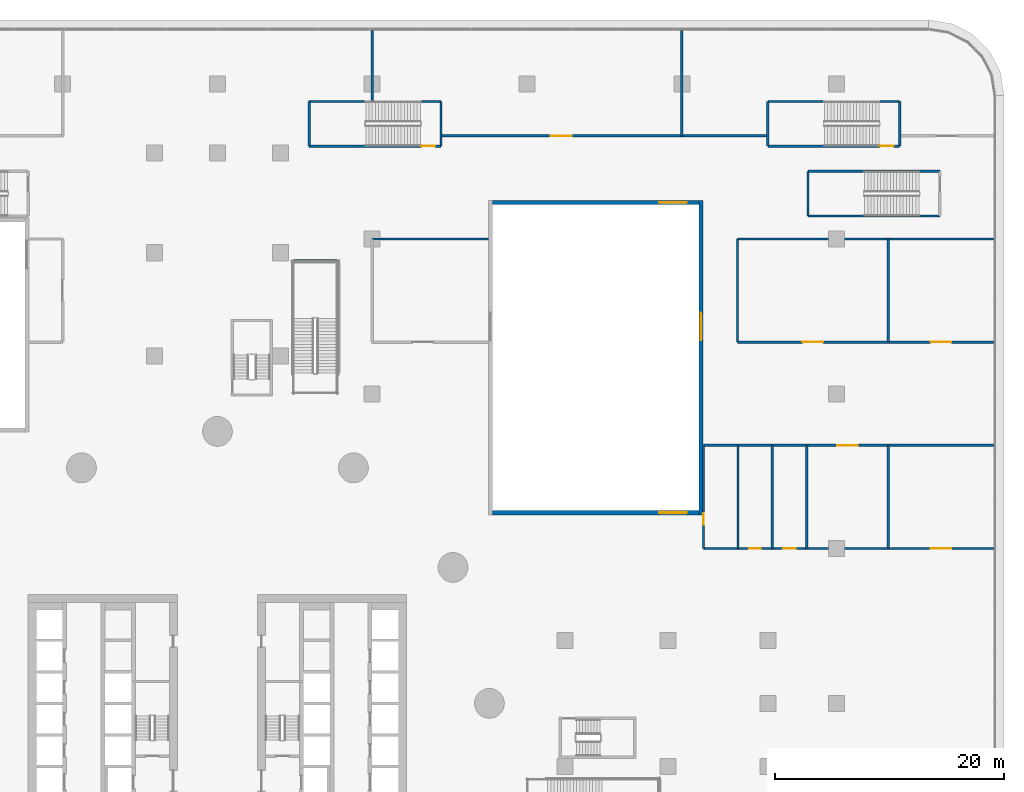
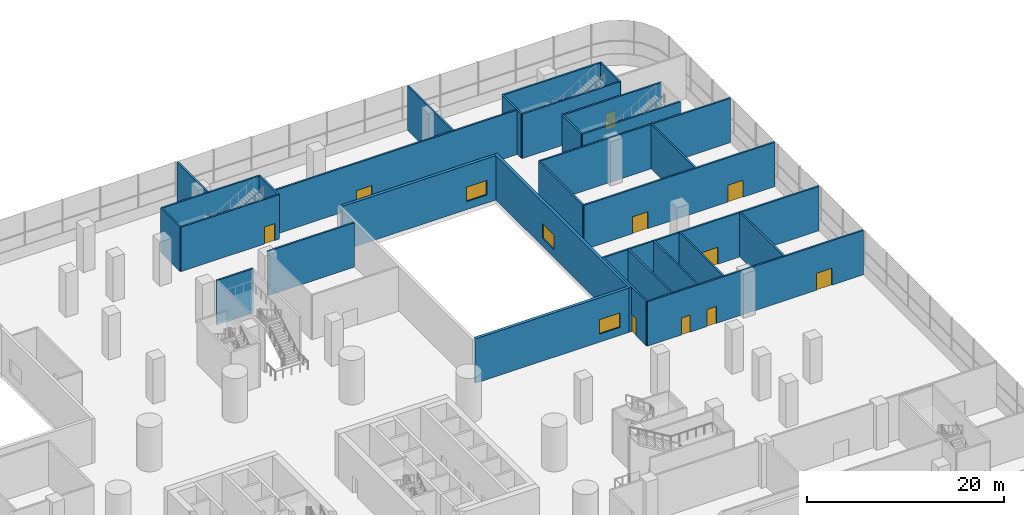
# One storey, part 34 of 52: 30 walls, 10 doors, 3 windows, 13 openings.
"""IFC4 building model written with IfcOpenShell, lengths in metres."""

from ifc_helpers import new_model, si_unit, direction, frame, frame_2d, origin, place, context, subcontext, project, spatial, rectangle, extrude, material, layer, layer_set, type_object, element, fill, save


model = new_model("IFC4")

# Units and contexts
model_context = context("Model", 3, precision=1e-05, world=origin(), true_north=direction((0.0, 1.0)))
body_context = subcontext(model_context, "Body", "Model", "MODEL_VIEW")
ifc_project = project(units=[si_unit("LENGTHUNIT", "METRE"), si_unit("AREAUNIT", "SQUARE_METRE"), si_unit("VOLUMEUNIT", "CUBIC_METRE"), si_unit("PLANEANGLEUNIT", "RADIAN"), si_unit("MASSUNIT", "GRAM", prefix="KILO")], contexts=[model_context])

# Site, building, storey
site_placement = place(None, origin())
site = spatial("IfcSite", under=ifc_project, at=site_placement, CompositionType="ELEMENT")
building_placement = place(site_placement, origin())
building = spatial("IfcBuilding", under=site, at=building_placement, Name="Tamarind Cross Interchange Tower", CompositionType="ELEMENT")
storey_placement = place(building_placement, frame((0.0, 0.0, 9.0)))
storey = spatial("IfcBuildingStorey", under=building, at=storey_placement, Name="L01", CompositionType="ELEMENT", Elevation=9.0)

# Wall
ifc_material_1 = material(Name="Masonry partition, fire-rated", Category="masonry")
ifc_layer_1 = layer(ifc_material_1, 0.199951171875)
ifc_layer_set_1 = layer_set([ifc_layer_1], Name="Masonry partition, fire-rated")
wall_type_1 = type_object("IfcWallType", Name="Fire partition 200 EI 120", PredefinedType="PARTITIONING", material=ifc_layer_set_1)
wall_1_placement = place(storey_placement, frame((13.5, 52.530029296875, 0.0), z_axis=(0.0, 0.0, 1.0), x_axis=(0.0, 1.0, 0.0)))
element("IfcWall", 1, at=wall_1_placement, inside=storey, type_object=wall_type_1, Name="L01 partition 92", PredefinedType="PARTITIONING", context=body_context, shape_type="SweptSolid", body=[
    extrude(rectangle(XDim=6.1689453125, YDim=0.199951171875, at=frame_2d((3.08447265625, 0.0))), origin(), (0.0, 0.0, 1.0), 5.5),
])

# Wall, opening, door
wall_2_placement = place(storey_placement, frame((19.530029296875, 49.5, 0.0), z_axis=(0.0, 0.0, 1.0), x_axis=(1.0, 0.0, 0.0)))
wall_2 = element("IfcWall", 2, at=wall_2_placement, inside=storey, type_object=wall_type_1, Name="L01 partition 94", PredefinedType="PARTITIONING", context=body_context, shape_type="SweptSolid", body=[
    extrude(rectangle(XDim=28.43994140625, YDim=0.199951171875, at=frame_2d((14.219970703125, 0.0))), origin(), (0.0, 0.0, 1.0), 5.5),
])
opening_1_placement = place(wall_2_placement, frame((9.56005859375, 0.0, 0.0)))
opening_1 = element("IfcOpeningElement", 3, at=opening_1_placement, cuts=wall_2, Name="Opening DL01-20", PredefinedType="OPENING", context=body_context, shape_type="SweptSolid", body=[
    extrude(rectangle(XDim=1.800048828125, YDim=2.10009765625, at=frame_2d((0.89990234375, 1.050048828125))), frame((0.0, 0.10986328125, 0.0), z_axis=(0.0, -1.0, 0.0), x_axis=(1.0, 0.0, 0.0)), (0.0, 0.0, 1.0), 0.219970703125),
])
ifc_material_2 = material(Name="Steel, fire-resisting", Category="steel")
door_type_1 = type_object("IfcDoorType", Name="Podium door 1800 x 2100 FD60", OperationType="SINGLE_SWING_LEFT", PredefinedType="DOOR", material=ifc_material_2)
door_1_placement = place(opening_1_placement, origin())
door_1 = element("IfcDoor", 4, at=door_1_placement, inside=storey, type_object=door_type_1, Name="L01 door Fashion Store 0106", OperationType="SINGLE_SWING_RIGHT", OverallHeight=2.10009765625, OverallWidth=1.800048828125, PredefinedType="DOOR", context=body_context, shape_type="SweptSolid", body=[
    extrude(rectangle(XDim=1.800048828125, YDim=2.10009765625, at=frame_2d((0.89990234375, 1.050048828125))), frame((0.0, 0.02490234375, 0.0), z_axis=(0.0, -1.0, 0.0), x_axis=(1.0, 0.0, 0.0)), (0.0, 0.0, 1.0), 0.050048828125),
])
fill(opening_1, door_1)

# Walls
wall_3_placement = place(storey_placement, frame((13.5, 40.5, 0.0), z_axis=(0.0, 0.0, 1.0), x_axis=(1.0, 0.0, 0.0)))
element("IfcWall", 5, at=wall_3_placement, inside=storey, type_object=wall_type_1, Name="L01 partition 97", PredefinedType="PARTITIONING", context=body_context, shape_type="SweptSolid", body=[
    extrude(rectangle(XDim=10.1201171875, YDim=0.199951171875, at=frame_2d((5.06005859375, 0.0))), origin(), (0.0, 0.0, 1.0), 5.5),
])
wall_4_placement = place(storey_placement, frame((40.5, 49.5, 0.0), z_axis=(0.0, 0.0, 1.0), x_axis=(0.0, 1.0, 0.0)))
element("IfcWall", 6, at=wall_4_placement, inside=storey, type_object=wall_type_1, Name="L01 partition 103", PredefinedType="PARTITIONING", context=body_context, shape_type="SweptSolid", body=[
    extrude(rectangle(XDim=9.198974609375, YDim=0.199951171875, at=frame_2d((4.599609375, 0.0))), origin(), (0.0, 0.0, 1.0), 5.5),
])

# Wall, openings, doors
wall_5_placement = place(storey_placement, frame((42.39990234375, 13.5, 0.0), z_axis=(0.0, 0.0, 1.0), x_axis=(1.0, 0.0, 0.0)))
wall_5 = element("IfcWall", 7, at=wall_5_placement, inside=storey, type_object=wall_type_1, Name="L01 partition 104", PredefinedType="PARTITIONING", context=body_context, shape_type="SweptSolid", body=[
    extrude(rectangle(XDim=25.299072265625, YDim=0.199951171875, at=frame_2d((12.6494140625, 0.0))), origin(), (0.0, 0.0, 1.0), 5.5),
])
opening_2_placement = place(wall_5_placement, frame((4.0, 0.0, 0.0)))
opening_2 = element("IfcOpeningElement", 8, at=opening_2_placement, cuts=wall_5, Name="Opening DL01-14", PredefinedType="OPENING", context=body_context, shape_type="SweptSolid", body=[
    extrude(rectangle(XDim=1.0, YDim=2.10009765625, at=frame_2d((0.5, 1.050048828125))), frame((0.0, 0.10986328125, 0.0), z_axis=(0.0, -1.0, 0.0), x_axis=(1.0, 0.0, 0.0)), (0.0, 0.0, 1.0), 0.219970703125),
])
opening_3_placement = place(wall_5_placement, frame((6.949951171875, 0.0, 0.0)))
opening_3 = element("IfcOpeningElement", 9, at=opening_3_placement, cuts=wall_5, Name="Opening DL01-15", PredefinedType="OPENING", context=body_context, shape_type="SweptSolid", body=[
    extrude(rectangle(XDim=1.10009765625, YDim=2.10009765625, at=frame_2d((0.550048828125, 1.050048828125))), frame((0.0, 0.10986328125, 0.0), z_axis=(0.0, -1.0, 0.0), x_axis=(1.0, 0.0, 0.0)), (0.0, 0.0, 1.0), 0.219970703125),
])
opening_4_placement = place(wall_5_placement, frame((19.800048828125, 0.0, 0.0)))
opening_4 = element("IfcOpeningElement", 10, at=opening_4_placement, cuts=wall_5, Name="Opening DL01-17", PredefinedType="OPENING", context=body_context, shape_type="SweptSolid", body=[
    extrude(rectangle(XDim=1.800048828125, YDim=2.10009765625, at=frame_2d((0.89990234375, 1.050048828125))), frame((0.0, 0.10986328125, 0.0), z_axis=(0.0, -1.0, 0.0), x_axis=(1.0, 0.0, 0.0)), (0.0, 0.0, 1.0), 0.219970703125),
])
door_type_2 = type_object("IfcDoorType", Name="Podium door 1000 x 2100 FD60", OperationType="SINGLE_SWING_LEFT", PredefinedType="DOOR", material=ifc_material_2)
door_2_placement = place(opening_2_placement, origin())
door_2 = element("IfcDoor", 11, at=door_2_placement, inside=storey, type_object=door_type_2, Name="L01 door Men's Toilets L01NE", OperationType="SINGLE_SWING_RIGHT", OverallHeight=2.10009765625, OverallWidth=1.0, PredefinedType="DOOR", context=body_context, shape_type="SweptSolid", body=[
    extrude(rectangle(XDim=1.0, YDim=2.10009765625, at=frame_2d((0.5, 1.050048828125))), frame((0.0, 0.02490234375, 0.0), z_axis=(0.0, -1.0, 0.0), x_axis=(1.0, 0.0, 0.0)), (0.0, 0.0, 1.0), 0.050048828125),
])
fill(opening_2, door_2)
door_type_3 = type_object("IfcDoorType", Name="Podium door 1100 x 2100 FD60", OperationType="SINGLE_SWING_LEFT", PredefinedType="DOOR", material=ifc_material_2)
door_3_placement = place(opening_3_placement, origin())
door_3 = element("IfcDoor", 12, at=door_3_placement, inside=storey, type_object=door_type_3, Name="L01 door Accessible Toilet L01NE", OperationType="SINGLE_SWING_LEFT", OverallHeight=2.10009765625, OverallWidth=1.10009765625, PredefinedType="DOOR", context=body_context, shape_type="SweptSolid", body=[
    extrude(rectangle(XDim=1.10009765625, YDim=2.10009765625, at=frame_2d((0.550048828125, 1.050048828125))), frame((0.0, 0.02490234375, 0.0), z_axis=(0.0, -1.0, 0.0), x_axis=(1.0, 0.0, 0.0)), (0.0, 0.0, 1.0), 0.050048828125),
])
fill(opening_3, door_3)
door_4_placement = place(opening_4_placement, origin())
door_4 = element("IfcDoor", 13, at=door_4_placement, inside=storey, type_object=door_type_1, Name="L01 door Electronics Store 0102", OperationType="SINGLE_SWING_LEFT", OverallHeight=2.10009765625, OverallWidth=1.800048828125, PredefinedType="DOOR", context=body_context, shape_type="SweptSolid", body=[
    extrude(rectangle(XDim=1.800048828125, YDim=2.10009765625, at=frame_2d((0.89990234375, 1.050048828125))), frame((0.0, 0.02490234375, 0.0), z_axis=(0.0, -1.0, 0.0), x_axis=(1.0, 0.0, 0.0)), (0.0, 0.0, 1.0), 0.050048828125),
])
fill(opening_4, door_4)

# Wall, opening, door
wall_6_placement = place(storey_placement, frame((42.39990234375, 22.5, 0.0), z_axis=(0.0, 0.0, 1.0), x_axis=(1.0, 0.0, 0.0)))
wall_6 = element("IfcWall", 14, at=wall_6_placement, inside=storey, type_object=wall_type_1, Name="L01 partition 107", PredefinedType="PARTITIONING", context=body_context, shape_type="SweptSolid", body=[
    extrude(rectangle(XDim=25.299072265625, YDim=0.199951171875, at=frame_2d((12.6494140625, 0.0))), origin(), (0.0, 0.0, 1.0), 5.5),
])
opening_5_placement = place(wall_6_placement, frame((11.64990234375, 0.0, 0.0)))
opening_5 = element("IfcOpeningElement", 15, at=opening_5_placement, cuts=wall_6, Name="Opening DL01-16", PredefinedType="OPENING", context=body_context, shape_type="SweptSolid", body=[
    extrude(rectangle(XDim=1.800048828125, YDim=2.10009765625, at=frame_2d((0.89990234375, 1.050048828125))), frame((0.0, 0.10986328125, 0.0), z_axis=(0.0, -1.0, 0.0), x_axis=(1.0, 0.0, 0.0)), (0.0, 0.0, 1.0), 0.219970703125),
])
door_5_placement = place(opening_5_placement, origin())
door_5 = element("IfcDoor", 16, at=door_5_placement, inside=storey, type_object=door_type_1, Name="L01 door Jewellery Shop 0101", OperationType="SINGLE_SWING_RIGHT", OverallHeight=2.10009765625, OverallWidth=1.800048828125, PredefinedType="DOOR", context=body_context, shape_type="SweptSolid", body=[
    extrude(rectangle(XDim=1.800048828125, YDim=2.10009765625, at=frame_2d((0.89990234375, 1.050048828125))), frame((0.0, 0.02490234375, 0.0), z_axis=(0.0, -1.0, 0.0), x_axis=(1.0, 0.0, 0.0)), (0.0, 0.0, 1.0), 0.050048828125),
])
fill(opening_5, door_5)

# Wall
wall_7_placement = place(storey_placement, frame((58.5, 13.5, 0.0), z_axis=(0.0, 0.0, 1.0), x_axis=(0.0, 1.0, 0.0)))
element("IfcWall", 17, at=wall_7_placement, inside=storey, type_object=wall_type_1, Name="L01 partition 115", PredefinedType="PARTITIONING", context=body_context, shape_type="SweptSolid", body=[
    extrude(rectangle(XDim=9.0, YDim=0.199951171875, at=frame_2d((4.5, 0.0))), origin(), (0.0, 0.0, 1.0), 5.5),
])

# Wall, openings, doors
wall_8_placement = place(storey_placement, frame((45.35009765625, 31.5, 0.0), z_axis=(0.0, 0.0, 1.0), x_axis=(1.0, 0.0, 0.0)))
wall_8 = element("IfcWall", 18, at=wall_8_placement, inside=storey, type_object=wall_type_1, Name="L01 partition 116", PredefinedType="PARTITIONING", context=body_context, shape_type="SweptSolid", body=[
    extrude(rectangle(XDim=22.348876953125, YDim=0.199951171875, at=frame_2d((11.17431640625, 0.0))), origin(), (0.0, 0.0, 1.0), 5.5),
])
opening_6_placement = place(wall_8_placement, frame((16.85009765625, 0.0, 0.0)))
opening_6 = element("IfcOpeningElement", 19, at=opening_6_placement, cuts=wall_8, Name="Opening DL01-19", PredefinedType="OPENING", context=body_context, shape_type="SweptSolid", body=[
    extrude(rectangle(XDim=1.800048828125, YDim=2.10009765625, at=frame_2d((0.89990234375, 1.050048828125))), frame((0.0, 0.10986328125, 0.0), z_axis=(0.0, -1.0, 0.0), x_axis=(1.0, 0.0, 0.0)), (0.0, 0.0, 1.0), 0.219970703125),
])
opening_7_placement = place(wall_8_placement, frame((5.675048828125, 0.0, 0.0)))
opening_7 = element("IfcOpeningElement", 20, at=opening_7_placement, cuts=wall_8, Name="Opening DL01-22", PredefinedType="OPENING", context=body_context, shape_type="SweptSolid", body=[
    extrude(rectangle(XDim=1.800048828125, YDim=2.10009765625, at=frame_2d((0.89990234375, 1.050048828125))), frame((0.0, 0.10986328125, 0.0), z_axis=(0.0, -1.0, 0.0), x_axis=(1.0, 0.0, 0.0)), (0.0, 0.0, 1.0), 0.219970703125),
])
door_6_placement = place(opening_6_placement, origin())
door_6 = element("IfcDoor", 21, at=door_6_placement, inside=storey, type_object=door_type_1, Name="L01 door Optician 0105", OperationType="SINGLE_SWING_LEFT", OverallHeight=2.10009765625, OverallWidth=1.800048828125, PredefinedType="DOOR", context=body_context, shape_type="SweptSolid", body=[
    extrude(rectangle(XDim=1.800048828125, YDim=2.10009765625, at=frame_2d((0.89990234375, 1.050048828125))), frame((0.0, 0.02490234375, 0.0), z_axis=(0.0, -1.0, 0.0), x_axis=(1.0, 0.0, 0.0)), (0.0, 0.0, 1.0), 0.050048828125),
])
fill(opening_6, door_6)
door_7_placement = place(opening_7_placement, origin())
door_7 = element("IfcDoor", 22, at=door_7_placement, inside=storey, type_object=door_type_1, Name="L01 door Beauty Salon 0104", OperationType="SINGLE_SWING_RIGHT", OverallHeight=2.10009765625, OverallWidth=1.800048828125, PredefinedType="DOOR", context=body_context, shape_type="SweptSolid", body=[
    extrude(rectangle(XDim=1.800048828125, YDim=2.10009765625, at=frame_2d((0.89990234375, 1.050048828125))), frame((0.0, 0.02490234375, 0.0), z_axis=(0.0, -1.0, 0.0), x_axis=(1.0, 0.0, 0.0)), (0.0, 0.0, 1.0), 0.050048828125),
])
fill(opening_7, door_7)

# Walls
for number, where, z_axis, x_axis, name in (
    (23, (58.5, 31.5, 0.0), (0.0, 0.0, 1.0), (0.0, 1.0, 0.0), "L01 partition 117"),
    (24, (45.35009765625, 31.5, 0.0), (0.0, 0.0, 1.0), (0.0, 1.0, 0.0), "L01 partition 118"),
):
    element("IfcWall", number, at=place(storey_placement, frame(where, z_axis=z_axis, x_axis=x_axis)), inside=storey, type_object=wall_type_1, Name=name, PredefinedType="PARTITIONING", context=body_context, shape_type="SweptSolid", body=[
        extrude(rectangle(XDim=9.0, YDim=0.199951171875, at=frame_2d((4.5, 0.0))), origin(), (0.0, 0.0, 1.0), 5.5),
    ])
wall_9_placement = place(storey_placement, frame((45.35009765625, 40.5, 0.0), z_axis=(0.0, 0.0, 1.0), x_axis=(1.0, 0.0, 0.0)))
element("IfcWall", 25, at=wall_9_placement, inside=storey, type_object=wall_type_1, Name="L01 partition 119", PredefinedType="PARTITIONING", context=body_context, shape_type="SweptSolid", body=[
    extrude(rectangle(XDim=22.348876953125, YDim=0.199951171875, at=frame_2d((11.17431640625, 0.0))), origin(), (0.0, 0.0, 1.0), 5.5),
])
ifc_layer_2 = layer(ifc_material_1, 0.199951171875)
ifc_layer_set_2 = layer_set([ifc_layer_2], Name="Masonry partition, fire-rated")
wall_type_2 = type_object("IfcWallType", Name="Fire partition 200 EI 90", PredefinedType="PARTITIONING", material=ifc_layer_set_2)
wall_10_placement = place(storey_placement, frame((45.39990234375, 13.5, 0.0), z_axis=(0.0, 0.0, 1.0), x_axis=(0.0, 1.0, 0.0)))
element("IfcWall", 26, at=wall_10_placement, inside=storey, type_object=wall_type_2, Name="L01 partition 105", PredefinedType="PARTITIONING", context=body_context, shape_type="SweptSolid", body=[
    extrude(rectangle(XDim=9.0, YDim=0.199951171875, at=frame_2d((4.5, 0.0))), origin(), (0.0, 0.0, 1.0), 5.5),
])

# Wall, opening, door
wall_11_placement = place(storey_placement, frame((42.39990234375, 13.5, 0.0), z_axis=(0.0, 0.0, 1.0), x_axis=(0.0, 1.0, 0.0)))
wall_11 = element("IfcWall", 27, at=wall_11_placement, inside=storey, type_object=wall_type_2, Name="L01 partition 106", PredefinedType="PARTITIONING", context=body_context, shape_type="SweptSolid", body=[
    extrude(rectangle(XDim=9.0, YDim=0.199951171875, at=frame_2d((4.5, 0.0))), origin(), (0.0, 0.0, 1.0), 5.5),
])
opening_8_placement = place(wall_11_placement, frame((2.10009765625, 0.0, 0.0)))
opening_8 = element("IfcOpeningElement", 28, at=opening_8_placement, cuts=wall_11, Name="Opening DL01-13", PredefinedType="OPENING", context=body_context, shape_type="SweptSolid", body=[
    extrude(rectangle(XDim=1.0, YDim=2.10009765625, at=frame_2d((0.5, 1.050048828125))), frame((0.0, 0.10986328125, 0.0), z_axis=(0.0, -1.0, 0.0), x_axis=(1.0, 0.0, 0.0)), (0.0, 0.0, 1.0), 0.219970703125),
])
door_8_placement = place(opening_8_placement, origin())
door_8 = element("IfcDoor", 29, at=door_8_placement, inside=storey, type_object=door_type_2, Name="L01 door Women's Toilets L01NE", OperationType="SINGLE_SWING_LEFT", OverallHeight=2.10009765625, OverallWidth=1.0, PredefinedType="DOOR", context=body_context, shape_type="SweptSolid", body=[
    extrude(rectangle(XDim=1.0, YDim=2.10009765625, at=frame_2d((0.5, 1.050048828125))), frame((0.0, 0.02490234375, 0.0), z_axis=(0.0, -1.0, 0.0), x_axis=(1.0, 0.0, 0.0)), (0.0, 0.0, 1.0), 0.050048828125),
])
fill(opening_8, door_8)

# Walls
for number, where, z_axis, x_axis, name in (
    (30, (48.39990234375, 13.5, 0.0), (0.0, 0.0, 1.0), (0.0, 1.0, 0.0), "L01 partition 110"),
    (31, (51.39990234375, 13.5, 0.0), (0.0, 0.0, 1.0), (0.0, 1.0, 0.0), "L01 partition 112"),
):
    element("IfcWall", number, at=place(storey_placement, frame(where, z_axis=z_axis, x_axis=x_axis)), inside=storey, type_object=wall_type_2, Name=name, PredefinedType="PARTITIONING", context=body_context, shape_type="SweptSolid", body=[
        extrude(rectangle(XDim=9.0, YDim=0.199951171875, at=frame_2d((4.5, 0.0))), origin(), (0.0, 0.0, 1.0), 5.5),
    ])

# Wall, opening, window
ifc_material_3 = material(Name="Precast concrete C40", Category="concrete")
ifc_layer_3 = layer(ifc_material_3, 0.35009765625)
ifc_layer_set_3 = layer_set([ifc_layer_3], Name="Precast concrete C40")
wall_type_3 = type_object("IfcWallType", Name="Podium facade wall", PredefinedType="SOLIDWALL", material=ifc_layer_set_3)
wall_12_placement = place(storey_placement, frame((24.0, 16.625, 0.0), z_axis=(0.0, 0.0, 1.0), x_axis=(1.0, 0.0, 0.0)))
wall_12 = element("IfcWall", 32, at=wall_12_placement, inside=storey, type_object=wall_type_3, Name="CTW-L01-NES00", PredefinedType="SOLIDWALL", context=body_context, shape_type="SweptSolid", body=[
    extrude(rectangle(XDim=18.0, YDim=0.35009765625, at=frame_2d((9.0, 0.0))), origin(), (0.0, 0.0, 1.0), 5.5),
])
opening_9_placement = place(wall_12_placement, frame((14.550048828125, 0.0, 1.0)))
opening_9 = element("IfcOpeningElement", 33, at=opening_9_placement, cuts=wall_12, Name="Opening W4", PredefinedType="OPENING", context=body_context, shape_type="SweptSolid", body=[
    extrude(rectangle(XDim=2.39990234375, YDim=1.800048828125, at=frame_2d((1.199951171875, 0.89990234375))), frame((0.0, 0.18505859375, 0.0), z_axis=(0.0, -1.0, 0.0), x_axis=(1.0, 0.0, 0.0)), (0.0, 0.0, 1.0), 0.3701171875),
])
ifc_material_4 = material(Name="Aluminium and toughened glass", Category="aluminium")
window_type = type_object("IfcWindowType", Name="Podium daylight window", PartitioningType="SINGLE_PANEL", PredefinedType="WINDOW", material=ifc_material_4)
window_1_placement = place(opening_9_placement, origin())
window_1 = element("IfcWindow", 34, at=window_1_placement, inside=storey, type_object=window_type, Name="CTX-L01-NES-01-00", OverallHeight=1.800048828125, OverallWidth=2.39990234375, PartitioningType="SINGLE_PANEL", PredefinedType="WINDOW", context=body_context, shape_type="SweptSolid", body=[
    extrude(rectangle(XDim=2.39990234375, YDim=1.800048828125, at=frame_2d((1.199951171875, 0.89990234375))), frame((0.0, 0.030029296875, 0.0), z_axis=(0.0, -1.0, 0.0), x_axis=(1.0, 0.0, 0.0)), (0.0, 0.0, 1.0), 0.06005859375),
])
fill(opening_9, window_1)

wall_13_placement = place(storey_placement, frame((24.0, 43.675048828125, 0.0), z_axis=(0.0, 0.0, 1.0), x_axis=(1.0, 0.0, 0.0)))
wall_13 = element("IfcWall", 35, at=wall_13_placement, inside=storey, type_object=wall_type_3, Name="CTW-L01-NEN00", PredefinedType="SOLIDWALL", context=body_context, shape_type="SweptSolid", body=[
    extrude(rectangle(XDim=18.0, YDim=0.35009765625, at=frame_2d((9.0, 0.0))), origin(), (0.0, 0.0, 1.0), 5.5),
])
opening_10_placement = place(wall_13_placement, frame((14.550048828125, 0.0, 1.0)))
opening_10 = element("IfcOpeningElement", 36, at=opening_10_placement, cuts=wall_13, Name="Opening W4", PredefinedType="OPENING", context=body_context, shape_type="SweptSolid", body=[
    extrude(rectangle(XDim=2.39990234375, YDim=1.800048828125, at=frame_2d((1.199951171875, 0.89990234375))), frame((0.0, 0.18505859375, 0.0), z_axis=(0.0, -1.0, 0.0), x_axis=(1.0, 0.0, 0.0)), (0.0, 0.0, 1.0), 0.3701171875),
])
window_2_placement = place(opening_10_placement, origin())
window_2 = element("IfcWindow", 37, at=window_2_placement, inside=storey, type_object=window_type, Name="CTX-L01-NEN-01-00", OverallHeight=1.800048828125, OverallWidth=2.39990234375, PartitioningType="SINGLE_PANEL", PredefinedType="WINDOW", context=body_context, shape_type="SweptSolid", body=[
    extrude(rectangle(XDim=2.39990234375, YDim=1.800048828125, at=frame_2d((1.199951171875, 0.89990234375))), frame((0.0, 0.030029296875, 0.0), z_axis=(0.0, -1.0, 0.0), x_axis=(1.0, 0.0, 0.0)), (0.0, 0.0, 1.0), 0.06005859375),
])
fill(opening_10, window_2)

wall_14_placement = place(storey_placement, frame((42.175048828125, 16.449951171875, 0.0), z_axis=(0.0, 0.0, 1.0), x_axis=(0.0, 1.0, 0.0)))
wall_14 = element("IfcWall", 38, at=wall_14_placement, inside=storey, type_object=wall_type_3, Name="CTW-L01-NEE00", PredefinedType="SOLIDWALL", context=body_context, shape_type="SweptSolid", body=[
    extrude(rectangle(XDim=27.400146484375, YDim=0.35009765625, at=frame_2d((13.7001953125, 0.0))), origin(), (0.0, 0.0, 1.0), 5.5),
])
opening_11_placement = place(wall_14_placement, frame((15.199951171875, 0.0, 1.0)))
opening_11 = element("IfcOpeningElement", 39, at=opening_11_placement, cuts=wall_14, Name="Opening W4", PredefinedType="OPENING", context=body_context, shape_type="SweptSolid", body=[
    extrude(rectangle(XDim=2.39990234375, YDim=1.800048828125, at=frame_2d((1.199951171875, 0.89990234375))), frame((0.0, 0.18505859375, 0.0), z_axis=(0.0, -1.0, 0.0), x_axis=(1.0, 0.0, 0.0)), (0.0, 0.0, 1.0), 0.3701171875),
])
window_3_placement = place(opening_11_placement, origin())
window_3 = element("IfcWindow", 40, at=window_3_placement, inside=storey, type_object=window_type, Name="CTX-L01-NEE-01-00", OverallHeight=1.800048828125, OverallWidth=2.39990234375, PartitioningType="SINGLE_PANEL", PredefinedType="WINDOW", context=body_context, shape_type="SweptSolid", body=[
    extrude(rectangle(XDim=2.39990234375, YDim=1.800048828125, at=frame_2d((1.199951171875, 0.89990234375))), frame((0.0, 0.030029296875, 0.0), z_axis=(0.0, -1.0, 0.0), x_axis=(1.0, 0.0, 0.0)), (0.0, 0.0, 1.0), 0.06005859375),
])
fill(opening_11, window_3)

# Wall
ifc_material_5 = material(Name="Concrete C40", Category="concrete")
ifc_layer_4 = layer(ifc_material_5, 0.199951171875)
ifc_layer_set_4 = layer_set([ifc_layer_4], Name="Concrete C40")
wall_type_4 = type_object("IfcWallType", Name="Stair shaft wall 200", PredefinedType="SOLIDWALL", material=ifc_layer_set_4)
wall_15_placement = place(storey_placement, frame((10.699951171875, 38.60009765625, 0.0), z_axis=(0.0, 0.0, 1.0), x_axis=(-1.0, 0.0, 0.0)))
element("IfcWall", 41, at=wall_15_placement, inside=storey, type_object=wall_type_4, Name="public stair PS-N shaft wall F", PredefinedType="SOLIDWALL", context=body_context, shape_type="SweptSolid", body=[
    extrude(rectangle(XDim=4.300048828125, YDim=0.199951171875, at=frame_2d((2.14990234375, 0.0))), origin(), (0.0, 0.0, 1.0), 5.5),
])

# Wall, opening, door
ifc_layer_5 = layer(ifc_material_5, 0.199951171875)
ifc_layer_set_5 = layer_set([ifc_layer_5], Name="Concrete C40")
wall_type_5 = type_object("IfcWallType", Name="Stair shaft wall 200 EI 180", PredefinedType="PARTITIONING", material=ifc_layer_set_5)
wall_16_placement = place(storey_placement, frame((8.0, 48.60009765625, 0.0), z_axis=(0.0, 0.0, 1.0), x_axis=(1.0, 0.0, 0.0)))
wall_16 = element("IfcWall", 42, at=wall_16_placement, inside=storey, type_object=wall_type_5, Name="L01 stair shaft wall 29", PredefinedType="PARTITIONING", context=body_context, shape_type="SweptSolid", body=[
    extrude(rectangle(XDim=11.5, YDim=0.199951171875, at=frame_2d((5.75, 0.0))), origin(), (0.0, 0.0, 1.0), 5.5),
])
opening_12_placement = place(wall_16_placement, frame((9.780029296875, 0.0, 0.0)))
opening_12 = element("IfcOpeningElement", 43, at=opening_12_placement, cuts=wall_16, Name="Opening DL01-03", PredefinedType="OPENING", context=body_context, shape_type="SweptSolid", body=[
    extrude(rectangle(XDim=1.199951171875, YDim=2.10009765625, at=frame_2d((0.60009765625, 1.050048828125))), frame((0.0, 0.10986328125, 0.0), z_axis=(0.0, -1.0, 0.0), x_axis=(1.0, 0.0, 0.0)), (0.0, 0.0, 1.0), 0.219970703125),
])
door_type_4 = type_object("IfcDoorType", Name="Podium door 1200 x 2100 FD90", OperationType="SINGLE_SWING_LEFT", PredefinedType="DOOR", material=ifc_material_2)
door_9_placement = place(opening_12_placement, origin())
door_9 = element("IfcDoor", 44, at=door_9_placement, inside=storey, type_object=door_type_4, Name="L01 door Exit Stair PX3", OperationType="SINGLE_SWING_LEFT", OverallHeight=2.10009765625, OverallWidth=1.199951171875, PredefinedType="DOOR", context=body_context, shape_type="SweptSolid", body=[
    extrude(rectangle(XDim=1.199951171875, YDim=2.10009765625, at=frame_2d((0.60009765625, 1.050048828125))), frame((0.0, 0.02490234375, 0.0), z_axis=(0.0, -1.0, 0.0), x_axis=(1.0, 0.0, 0.0)), (0.0, 0.0, 1.0), 0.050048828125),
])
fill(opening_12, door_9)

# Walls
wall_17_placement = place(storey_placement, frame((8.0, 48.60009765625, 0.0), z_axis=(0.0, 0.0, 1.0), x_axis=(0.0, 1.0, 0.0)))
element("IfcWall", 45, at=wall_17_placement, inside=storey, type_object=wall_type_5, Name="L01 stair shaft wall 30", PredefinedType="PARTITIONING", context=body_context, shape_type="SweptSolid", body=[
    extrude(rectangle(XDim=3.89990234375, YDim=0.199951171875, at=frame_2d((1.949951171875, 0.0))), origin(), (0.0, 0.0, 1.0), 5.5),
])
wall_18_placement = place(storey_placement, frame((8.0, 52.5, 0.0), z_axis=(0.0, 0.0, 1.0), x_axis=(1.0, 0.0, 0.0)))
element("IfcWall", 46, at=wall_18_placement, inside=storey, type_object=wall_type_5, Name="L01 stair shaft wall 31", PredefinedType="PARTITIONING", context=body_context, shape_type="SweptSolid", body=[
    extrude(rectangle(XDim=11.5, YDim=0.199951171875, at=frame_2d((5.75, 0.0))), origin(), (0.0, 0.0, 1.0), 5.5),
])
wall_19_placement = place(storey_placement, frame((19.5, 48.60009765625, 0.0), z_axis=(0.0, 0.0, 1.0), x_axis=(0.0, 1.0, 0.0)))
element("IfcWall", 47, at=wall_19_placement, inside=storey, type_object=wall_type_5, Name="L01 stair shaft wall 32", PredefinedType="PARTITIONING", context=body_context, shape_type="SweptSolid", body=[
    extrude(rectangle(XDim=3.89990234375, YDim=0.199951171875, at=frame_2d((1.949951171875, 0.0))), origin(), (0.0, 0.0, 1.0), 5.5),
])

# Wall, opening, door
wall_20_placement = place(storey_placement, frame((48.0, 48.60009765625, 0.0), z_axis=(0.0, 0.0, 1.0), x_axis=(1.0, 0.0, 0.0)))
wall_20 = element("IfcWall", 48, at=wall_20_placement, inside=storey, type_object=wall_type_5, Name="L01 stair shaft wall 41", PredefinedType="PARTITIONING", context=body_context, shape_type="SweptSolid", body=[
    extrude(rectangle(XDim=11.5, YDim=0.199951171875, at=frame_2d((5.75, 0.0))), origin(), (0.0, 0.0, 1.0), 5.5),
])
opening_13_placement = place(wall_20_placement, frame((9.780029296875, 0.0, 0.0)))
opening_13 = element("IfcOpeningElement", 49, at=opening_13_placement, cuts=wall_20, Name="Opening DL01-01", PredefinedType="OPENING", context=body_context, shape_type="SweptSolid", body=[
    extrude(rectangle(XDim=1.199951171875, YDim=2.10009765625, at=frame_2d((0.60009765625, 1.050048828125))), frame((0.0, 0.10986328125, 0.0), z_axis=(0.0, -1.0, 0.0), x_axis=(1.0, 0.0, 0.0)), (0.0, 0.0, 1.0), 0.219970703125),
])
door_10_placement = place(opening_13_placement, origin())
door_10 = element("IfcDoor", 50, at=door_10_placement, inside=storey, type_object=door_type_4, Name="L01 door Exit Stair PX1", OperationType="SINGLE_SWING_LEFT", OverallHeight=2.10009765625, OverallWidth=1.199951171875, PredefinedType="DOOR", context=body_context, shape_type="SweptSolid", body=[
    extrude(rectangle(XDim=1.199951171875, YDim=2.10009765625, at=frame_2d((0.60009765625, 1.050048828125))), frame((0.0, 0.02490234375, 0.0), z_axis=(0.0, -1.0, 0.0), x_axis=(1.0, 0.0, 0.0)), (0.0, 0.0, 1.0), 0.050048828125),
])
fill(opening_13, door_10)

# Walls
wall_21_placement = place(storey_placement, frame((48.0, 48.60009765625, 0.0), z_axis=(0.0, 0.0, 1.0), x_axis=(0.0, 1.0, 0.0)))
element("IfcWall", 51, at=wall_21_placement, inside=storey, type_object=wall_type_5, Name="L01 stair shaft wall 42", PredefinedType="PARTITIONING", context=body_context, shape_type="SweptSolid", body=[
    extrude(rectangle(XDim=3.89990234375, YDim=0.199951171875, at=frame_2d((1.949951171875, 0.0))), origin(), (0.0, 0.0, 1.0), 5.5),
])
wall_22_placement = place(storey_placement, frame((48.0, 52.5, 0.0), z_axis=(0.0, 0.0, 1.0), x_axis=(1.0, 0.0, 0.0)))
element("IfcWall", 52, at=wall_22_placement, inside=storey, type_object=wall_type_5, Name="L01 stair shaft wall 43", PredefinedType="PARTITIONING", context=body_context, shape_type="SweptSolid", body=[
    extrude(rectangle(XDim=11.5, YDim=0.199951171875, at=frame_2d((5.75, 0.0))), origin(), (0.0, 0.0, 1.0), 5.5),
])
wall_23_placement = place(storey_placement, frame((59.5, 48.60009765625, 0.0), z_axis=(0.0, 0.0, 1.0), x_axis=(0.0, 1.0, 0.0)))
element("IfcWall", 53, at=wall_23_placement, inside=storey, type_object=wall_type_5, Name="L01 stair shaft wall 44", PredefinedType="PARTITIONING", context=body_context, shape_type="SweptSolid", body=[
    extrude(rectangle(XDim=3.89990234375, YDim=0.199951171875, at=frame_2d((1.949951171875, 0.0))), origin(), (0.0, 0.0, 1.0), 5.5),
])
wall_24_placement = place(storey_placement, frame((51.5, 42.5, 0.0), z_axis=(0.0, 0.0, 1.0), x_axis=(1.0, 0.0, 0.0)))
element("IfcWall", 54, at=wall_24_placement, inside=storey, type_object=wall_type_5, Name="L01 stair shaft wall 45", PredefinedType="PARTITIONING", context=body_context, shape_type="SweptSolid", body=[
    extrude(rectangle(XDim=11.5, YDim=0.199951171875, at=frame_2d((5.75, 0.0))), origin(), (0.0, 0.0, 1.0), 5.5),
])
wall_25_placement = place(storey_placement, frame((51.5, 42.5, 0.0), z_axis=(0.0, 0.0, 1.0), x_axis=(0.0, 1.0, 0.0)))
element("IfcWall", 55, at=wall_25_placement, inside=storey, type_object=wall_type_5, Name="L01 stair shaft wall 46", PredefinedType="PARTITIONING", context=body_context, shape_type="SweptSolid", body=[
    extrude(rectangle(XDim=3.89990234375, YDim=0.199951171875, at=frame_2d((1.949951171875, 0.0))), origin(), (0.0, 0.0, 1.0), 5.5),
])
wall_26_placement = place(storey_placement, frame((51.5, 46.39990234375, 0.0), z_axis=(0.0, 0.0, 1.0), x_axis=(1.0, 0.0, 0.0)))
element("IfcWall", 56, at=wall_26_placement, inside=storey, type_object=wall_type_5, Name="L01 stair shaft wall 47", PredefinedType="PARTITIONING", context=body_context, shape_type="SweptSolid", body=[
    extrude(rectangle(XDim=11.5, YDim=0.199951171875, at=frame_2d((5.75, 0.0))), origin(), (0.0, 0.0, 1.0), 5.5),
])

save(model, "model.ifc")
